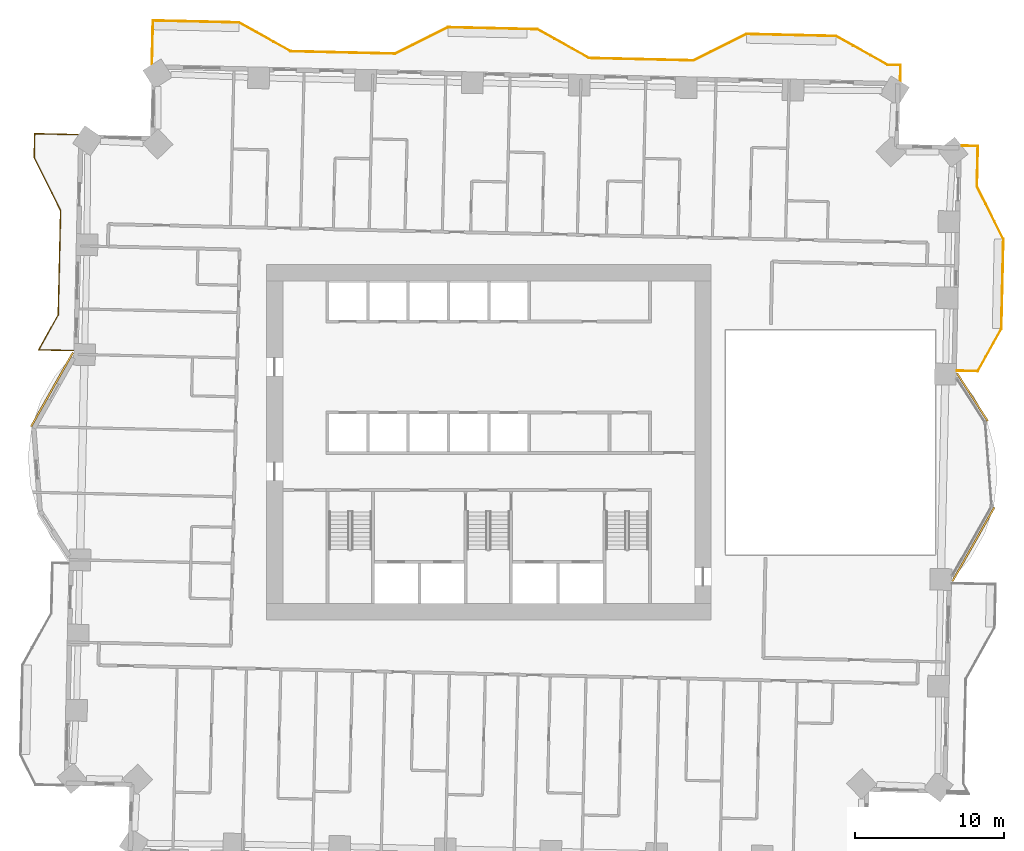
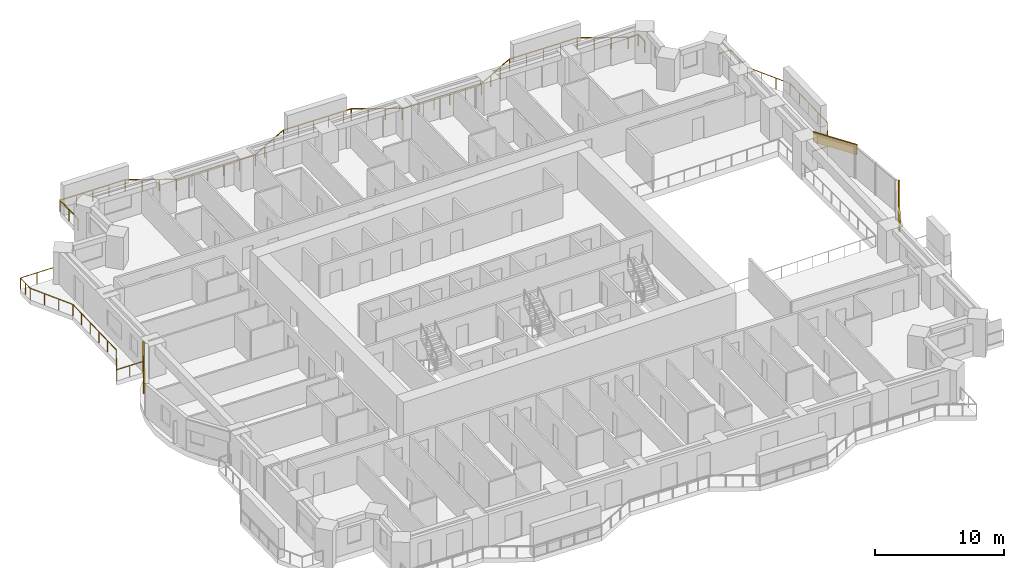
# One storey, part 18 of 18: 3 coverings, 3 railings.
"""IFC4 building model written with IfcOpenShell, lengths in metres."""

import ifcopenshell
import ifcopenshell.guid

model = None  # the IFC model being written
_history = None  # IfcOwnerHistory: only IFC2X3 demands one
_inside = {}  # id of a spatial element -> (the spatial element, [elements in it])
_under = {}  # id of a project, library or spatial element -> (it, [spatial elements below it])
_declared = {}  # id of a project -> (the project, [libraries it declares])
_typed = {}  # id of a type object -> (the type object, [elements of that type])
_made_of = {}  # id of a material, layer set ... -> (it, [elements and type objects made of it])


def new_model(schema):
    """Start an empty IFC model of exactly this schema.

    Asked for "IFC4X3", IfcOpenShell would pick the latest addendum, in which some entities
    have other attributes; the version numbers below select the first issue.
    IFC2X3 requires an IfcOwnerHistory on every rooted entity: one is made here for all.
    """
    global model, _history
    if schema == "IFC4X3":
        model = ifcopenshell.file(schema_version=(4, 3, 0, 0))
    else:
        model = ifcopenshell.file(schema=schema)
    _inside.clear()
    _under.clear()
    _declared.clear()
    _typed.clear()
    _made_of.clear()
    _history = None
    if model.schema == "IFC2X3":
        org = make("IfcOrganization", Name="unknown")
        user = make(
            "IfcPersonAndOrganization",
            ThePerson=make("IfcPerson", FamilyName="unknown"),
            TheOrganization=org,
        )
        app = make(
            "IfcApplication",
            ApplicationDeveloper=org,
            Version="unknown",
            ApplicationFullName="unknown",
            ApplicationIdentifier="unknown",
        )
        _history = make(
            "IfcOwnerHistory",
            OwningUser=user,
            OwningApplication=app,
            ChangeAction="ADDED",
            CreationDate=0,
        )
    return model


def make(cls, **values):
    """One entity of the class cls with the attributes given. An attribute that is None is left unset."""
    return model.create_entity(
        cls, **{name: value for name, value in values.items() if value is not None}
    )


def rooted(cls, **values):
    """An entity with a GlobalId (a new one), such as an element, a storey or a relation."""
    return make(cls, GlobalId=ifcopenshell.guid.new(), OwnerHistory=_history, **values)


def si_unit(unit_type, name, prefix=None):
    """IfcSIUnit, for example si_unit("LENGTHUNIT", "METRE", prefix="MILLI")."""
    return make("IfcSIUnit", UnitType=unit_type, Prefix=prefix, Name=name)


def assignment(units):
    """IfcUnitAssignment: the units of a project."""
    return None if units is None else make("IfcUnitAssignment", Units=units)


def point(xyz):
    """IfcCartesianPoint."""
    return None if xyz is None else make("IfcCartesianPoint", Coordinates=xyz)


def direction(xyz):
    """IfcDirection."""
    return None if xyz is None else make("IfcDirection", DirectionRatios=xyz)


def frame(location, z_axis=None, x_axis=None):
    """IfcAxis2Placement3D, a coordinate frame: its origin and axes. An axis left out is left unset."""
    return make(
        "IfcAxis2Placement3D",
        Location=point(location),
        Axis=direction(z_axis),
        RefDirection=direction(x_axis),
    )


def frame_2d(location, x_axis=None):
    """IfcAxis2Placement2D, a coordinate frame in the plane: its origin and x axis."""
    return make(
        "IfcAxis2Placement2D", Location=point(location), RefDirection=direction(x_axis)
    )


def origin():
    """The frame at (0, 0, 0) with its axes left unset."""
    return frame((0.0, 0.0, 0.0))


def origin_2d():
    """The frame at (0, 0) in the plane with its x axis left unset."""
    return frame_2d((0.0, 0.0))


def place(relative_to, where):
    """IfcLocalPlacement: puts the frame where relative to a parent placement (None: the world)."""
    return make(
        "IfcLocalPlacement", PlacementRelTo=relative_to, RelativePlacement=where
    )


def context(
    kind, dimensions, precision=None, world=None, true_north=None, identifier=None
):
    """IfcGeometricRepresentationContext, for example the 3D "Model" context."""
    return make(
        "IfcGeometricRepresentationContext",
        ContextIdentifier=identifier,
        ContextType=kind,
        CoordinateSpaceDimension=dimensions,
        Precision=precision,
        WorldCoordinateSystem=world,
        TrueNorth=true_north,
    )


def subcontext(parent, identifier, kind, view, scale=None):
    """IfcGeometricRepresentationSubContext, for example "Body" below "Model"."""
    return make(
        "IfcGeometricRepresentationSubContext",
        ContextIdentifier=identifier,
        ContextType=kind,
        ParentContext=parent,
        TargetScale=scale,
        TargetView=view,
    )


def project(units=None, contexts=None):
    """IfcProject with its units and contexts."""
    return rooted(
        "IfcProject",
        Name="project",
        RepresentationContexts=contexts,
        UnitsInContext=assignment(units),
    )


def spatial(cls, under=None, at=None, **own):
    """A site, building, storey or space (cls), placed at a placement, below another one or the project."""
    s = rooted(cls, ObjectPlacement=at, **own)
    if under is not None:
        _under.setdefault(under.id(), (under, []))[1].append(s)
    return s


def profile(cls, at=None, kind="AREA", **sizes):
    """A parametric profile (cls). Its sizes go by their IFC names, for example OverallWidth=200.0."""
    return make(cls, ProfileType=kind, Position=at, **sizes)


def rectangle(**sizes):
    """IfcRectangleProfileDef."""
    return profile("IfcRectangleProfileDef", **sizes)


def extrude(swept, where, along, depth):
    """IfcExtrudedAreaSolid: the profile swept, set in the frame where, extruded along a direction by depth."""
    return make(
        "IfcExtrudedAreaSolid",
        SweptArea=swept,
        Position=where,
        ExtrudedDirection=direction(along),
        Depth=depth,
    )


def shape(context_of_items, identifier, shape_type, items):
    """IfcShapeRepresentation: the items that make up one representation, for example the "Body"."""
    return make(
        "IfcShapeRepresentation",
        ContextOfItems=context_of_items,
        RepresentationIdentifier=identifier,
        RepresentationType=shape_type,
        Items=items,
    )


def material(Name=None, Category=None):
    """IfcMaterial."""
    return make("IfcMaterial", Name=Name, Category=Category)


def layer(
    of_material, thickness, ventilated=None, Name=None, Category=None, Priority=None
):
    """IfcMaterialLayer: one layer of a wall or slab, of a material (None: an air gap)."""
    return make(
        "IfcMaterialLayer",
        Material=of_material,
        LayerThickness=thickness,
        IsVentilated=ventilated,
        Name=Name,
        Category=Category,
        Priority=Priority,
    )


def layer_set(layers, Name=None):
    """IfcMaterialLayerSet."""
    return make("IfcMaterialLayerSet", MaterialLayers=layers, LayerSetName=Name)


def made_of(thing, what):
    """Note that an element or type object is made of a material, layer set ...; save() writes the relation."""
    if what is not None:
        _made_of.setdefault(what.id(), (what, []))[1].append(thing)
    return thing


def type_object(cls, material=None, **own):
    """A type object (cls), such as IfcWallType, which elements share."""
    return made_of(rooted(cls, **own), material)


def element(
    cls,
    number,
    at=None,
    inside=None,
    cuts=None,
    type_object=None,
    material=None,
    context=None,
    identifier="Body",
    shape_type=None,
    held_by="IfcProductDefinitionShape",
    body=None,
    shapes=None,
    **own,
):
    """One element of the class cls, such as IfcWall. Its Tag is "e" and its number.

    at: its placement. inside: the storey or other place that contains it. cuts: it is an
    opening in that element (IfcRelVoidsElement). A single representation is given by context,
    identifier, shape_type and body (its items); several are given by shapes. held_by: the class
    of the entity that holds the representations. save() writes the other relations.
    """
    e = rooted(cls, Tag="e%d" % number, ObjectPlacement=at, **own)
    if body is not None:
        shapes = [shape(context, identifier, shape_type, body)]
    if shapes is not None:
        e.Representation = make(held_by, Representations=shapes)
    if inside is not None:
        _inside.setdefault(inside.id(), (inside, []))[1].append(e)
    if cuts is not None:
        rooted(
            "IfcRelVoidsElement", RelatingBuildingElement=cuts, RelatedOpeningElement=e
        )
    if type_object is not None:
        _typed.setdefault(type_object.id(), (type_object, []))[1].append(e)
    return made_of(e, material)


def aggregate(whole, parts):
    """IfcRelAggregates: a whole, such as a stair, and the parts it consists of."""
    return rooted("IfcRelAggregates", RelatingObject=whole, RelatedObjects=parts)


def save(model, path):
    """Write the relations noted so far, then the file.

    IfcRelAggregates (storeys below a building ...), IfcRelContainedInSpatialStructure (elements
    in a storey), IfcRelDefinesByType, IfcRelAssociatesMaterial and IfcRelDeclares: one each for
    every whole, place, type object, material and project.
    """
    for whole, parts in _under.values():
        aggregate(whole, parts)
    for where, things in _inside.values():
        rooted(
            "IfcRelContainedInSpatialStructure",
            RelatedElements=things,
            RelatingStructure=where,
        )
    for kind, things in _typed.values():
        rooted("IfcRelDefinesByType", RelatedObjects=things, RelatingType=kind)
    for what, things in _made_of.values():
        rooted("IfcRelAssociatesMaterial", RelatedObjects=things, RelatingMaterial=what)
    for by, libraries in _declared.values():
        rooted("IfcRelDeclares", RelatingContext=by, RelatedDefinitions=libraries)
    model.write(path)


model = new_model("IFC4")

# Units and contexts
model_context = context("Model", 3, precision=1e-05, world=origin(), true_north=direction((0.0, 1.0)))
body_context = subcontext(model_context, "Body", "Model", "MODEL_VIEW")
ifc_project = project(units=[si_unit("LENGTHUNIT", "METRE"), si_unit("AREAUNIT", "SQUARE_METRE"), si_unit("VOLUMEUNIT", "CUBIC_METRE"), si_unit("PLANEANGLEUNIT", "RADIAN"), si_unit("MASSUNIT", "GRAM", prefix="KILO")], contexts=[model_context])

# Site, building, storey
site_placement = place(None, origin())
site = spatial("IfcSite", under=ifc_project, at=site_placement, CompositionType="ELEMENT")
building_placement = place(site_placement, origin())
building = spatial("IfcBuilding", under=site, at=building_placement, Name="Mangrove Gate Tower", CompositionType="ELEMENT")
storey_placement = place(building_placement, frame((0.0, 0.0, 67.5)))
storey = spatial("IfcBuildingStorey", under=building, at=storey_placement, Name="L16", CompositionType="ELEMENT", Elevation=67.5)

# Railings
ifc_material_1 = material(Name="Stainless steel grade 316 with laminated glass infill", Category="steel")
railing_type = type_object("IfcRailingType", Name="Balcony guard 1100", PredefinedType="GUARDRAIL", material=ifc_material_1)
railing_1_placement = place(storey_placement, frame((31.362060546875, 4.802001953125, 0.0)))
element("IfcRailing", 1, at=railing_1_placement, inside=storey, type_object=railing_type, Name="GUARD L16 E2", PredefinedType="GUARDRAIL", context=body_context, shape_type="SweptSolid", body=[
    extrude(rectangle(XDim=0.048095703125, YDim=0.048095703125, at=origin_2d()), frame((0.0, 0.0, 1.076171875), z_axis=(0.999735358589, -0.023004625325, 0.0), x_axis=(0.023004625325, 0.999735358589, 0.0)), (0.0, 0.0, 1.0), 1.390380859375),
    extrude(rectangle(XDim=0.048095703125, YDim=0.048095703125, at=origin_2d()), frame((1.389892578125, -0.031982421875, 1.076171875), z_axis=(0.487089238085, 0.873352205093, 0.0), x_axis=(-0.873352205093, 0.487089238085, 0.0)), (0.0, 0.0, 1.0), 3.251953125),
    extrude(rectangle(XDim=0.048095703125, YDim=0.048095703125, at=origin_2d()), frame((2.973876953125, 2.80810546875, 1.076171875), z_axis=(0.02282955947, 0.999739371644, 0.0), x_axis=(-0.999739371644, 0.02282955947, 0.0)), (0.0, 0.0, 1.0), 5.999267578125),
    extrude(rectangle(XDim=0.048095703125, YDim=0.048095703125, at=origin_2d()), frame((3.11083984375, 8.805908203125, 1.076171875), z_axis=(-0.447312255532, 0.894377854182, 0.0), x_axis=(-0.894377854182, -0.447312255532, 0.0)), (0.0, 0.0, 1.0), 3.959228515625),
    extrude(rectangle(XDim=0.048095703125, YDim=0.048095703125, at=origin_2d()), frame((1.33984375, 12.346923828125, 1.076171875), z_axis=(0.02295958807, 0.999736393914, 0.0), x_axis=(-0.999736393914, 0.02295958807, 0.0)), (0.0, 0.0, 1.0), 2.700927734375),
    extrude(rectangle(XDim=0.048095703125, YDim=0.048095703125, at=origin_2d()), frame((1.40185546875, 15.047119140625, 1.076171875), z_axis=(-0.999765634628, 0.021648921828, 0.0), x_axis=(-0.021648921828, -0.999765634628, 0.0)), (0.0, 0.0, 1.0), 1.06005859375),
    extrude(rectangle(XDim=0.0419921875, YDim=0.0419921875, at=origin_2d()), origin(), (0.0, 0.0, 1.0), 1.052001953125),
    extrude(rectangle(XDim=0.0419921875, YDim=0.0419921875, at=origin_2d()), frame((1.389892578125, -0.031982421875, 0.0)), (0.0, 0.0, 1.0), 1.052001953125),
    extrude(rectangle(XDim=0.0419921875, YDim=0.0419921875, at=origin_2d()), frame((1.91796875, 0.914794921875, 0.0)), (0.0, 0.0, 1.0), 1.052001953125),
    extrude(rectangle(XDim=0.0419921875, YDim=0.0419921875, at=origin_2d()), frame((2.44580078125, 1.861328125, 0.0)), (0.0, 0.0, 1.0), 1.052001953125),
    extrude(rectangle(XDim=0.0419921875, YDim=0.0419921875, at=origin_2d()), frame((2.973876953125, 2.80810546875, 0.0)), (0.0, 0.0, 1.0), 1.052001953125),
    extrude(rectangle(XDim=0.0419921875, YDim=0.0419921875, at=origin_2d()), frame((3.008056640625, 4.3076171875, 0.0)), (0.0, 0.0, 1.0), 1.052001953125),
    extrude(rectangle(XDim=0.0419921875, YDim=0.0419921875, at=origin_2d()), frame((3.04248046875, 5.80712890625, 0.0)), (0.0, 0.0, 1.0), 1.052001953125),
    extrude(rectangle(XDim=0.0419921875, YDim=0.0419921875, at=origin_2d()), frame((3.07666015625, 7.306396484375, 0.0)), (0.0, 0.0, 1.0), 1.052001953125),
    extrude(rectangle(XDim=0.0419921875, YDim=0.0419921875, at=origin_2d()), frame((3.11083984375, 8.805908203125, 0.0)), (0.0, 0.0, 1.0), 1.052001953125),
    extrude(rectangle(XDim=0.0419921875, YDim=0.0419921875, at=origin_2d()), frame((2.5205078125, 9.986328125, 0.0)), (0.0, 0.0, 1.0), 1.052001953125),
    extrude(rectangle(XDim=0.0419921875, YDim=0.0419921875, at=origin_2d()), frame((1.93017578125, 11.16650390625, 0.0)), (0.0, 0.0, 1.0), 1.052001953125),
    extrude(rectangle(XDim=0.0419921875, YDim=0.0419921875, at=origin_2d()), frame((1.33984375, 12.346923828125, 0.0)), (0.0, 0.0, 1.0), 1.052001953125),
    extrude(rectangle(XDim=0.0419921875, YDim=0.0419921875, at=origin_2d()), frame((1.370849609375, 13.697021484375, 0.0)), (0.0, 0.0, 1.0), 1.052001953125),
    extrude(rectangle(XDim=0.0419921875, YDim=0.0419921875, at=origin_2d()), frame((1.40185546875, 15.047119140625, 0.0)), (0.0, 0.0, 1.0), 1.052001953125),
    extrude(rectangle(XDim=0.0419921875, YDim=0.0419921875, at=origin_2d()), frame((0.342041015625, 15.070068359375, 0.0)), (0.0, 0.0, 1.0), 1.052001953125),
])
railing_2_placement = place(storey_placement, frame((27.56103515625, 24.2080078125, 0.0)))
element("IfcRailing", 2, at=railing_2_placement, inside=storey, type_object=railing_type, Name="GUARD L16 N1", PredefinedType="GUARDRAIL", context=body_context, shape_type="SweptSolid", body=[
    extrude(rectangle(XDim=0.048095703125, YDim=0.048095703125, at=origin_2d()), frame((0.0, 0.0, 1.076171875), z_axis=(0.022585293253, 0.999744919731, 0.0), x_axis=(-0.999744919731, 0.022585293253, 0.0)), (0.0, 0.0, 1.0), 1.059326171875),
    extrude(rectangle(XDim=0.048095703125, YDim=0.048095703125, at=origin_2d()), frame((0.02392578125, 1.05908203125, 1.076171875), z_axis=(-0.999733484349, 0.023085932334, 0.0), x_axis=(-0.023085932334, -0.999733484349, 0.0)), (0.0, 0.0, 1.0), 0.8671875),
    extrude(rectangle(XDim=0.048095703125, YDim=0.048095703125, at=origin_2d()), frame((-0.843017578125, 1.0791015625, 1.076171875), z_axis=(-0.873315448515, 0.487155136876, 0.0), x_axis=(-0.487155136876, -0.873315448515, 0.0)), (0.0, 0.0, 1.0), 3.959716796875),
    extrude(rectangle(XDim=0.048095703125, YDim=0.048095703125, at=origin_2d()), frame((-4.301025390625, 3.008056640625, 1.076171875), z_axis=(-0.999743094499, 0.022665943652, 0.0), x_axis=(-0.022665943652, -0.999743094499, 0.0)), (0.0, 0.0, 1.0), 5.99951171875),
    extrude(rectangle(XDim=0.048095703125, YDim=0.048095703125, at=origin_2d()), frame((-10.299072265625, 3.14404296875, 1.076171875), z_axis=(-0.894476522376, -0.447114919141, 0.0), x_axis=(0.447114919141, -0.894476522376, 0.0)), (0.0, 0.0, 1.0), 3.958740234375),
    extrude(rectangle(XDim=0.048095703125, YDim=0.048095703125, at=origin_2d()), frame((-13.840087890625, 1.3740234375, 1.076171875), z_axis=(-0.999742195543, 0.022705559911, 0.0), x_axis=(-0.022705559911, -0.999742195543, 0.0)), (0.0, 0.0, 1.0), 6.999755859375),
    extrude(rectangle(XDim=0.048095703125, YDim=0.048095703125, at=origin_2d()), frame((-20.838134765625, 1.532958984375, 1.076171875), z_axis=(-0.873242256246, 0.487286324359, 0.0), x_axis=(-0.487286324359, -0.873242256246, 0.0)), (0.0, 0.0, 1.0), 3.95849609375),
    extrude(rectangle(XDim=0.048095703125, YDim=0.048095703125, at=origin_2d()), frame((-24.294921875, 3.4619140625, 1.076171875), z_axis=(-0.999735316342, 0.023006461255, 0.0), x_axis=(-0.023006461255, -0.999735316342, 0.0)), (0.0, 0.0, 1.0), 0.700439453125),
    extrude(rectangle(XDim=0.048095703125, YDim=0.048095703125, at=origin_2d()), frame((-24.9951171875, 3.47802734375, 1.076171875), z_axis=(-0.999744208111, 0.022616771387, 0.0), x_axis=(-0.022616771387, -0.999744208111, 0.0)), (0.0, 0.0, 1.0), 5.30029296875),
    extrude(rectangle(XDim=0.048095703125, YDim=0.048095703125, at=origin_2d()), frame((-30.2939453125, 3.597900390625, 1.076171875), z_axis=(-0.894476522376, -0.447114919141, 0.0), x_axis=(0.447114919141, -0.894476522376, 0.0)), (0.0, 0.0, 1.0), 3.958740234375),
    extrude(rectangle(XDim=0.048095703125, YDim=0.048095703125, at=origin_2d()), frame((-33.8349609375, 1.827880859375, 1.076171875), z_axis=(-0.999741403216, 0.022740419861, 0.0), x_axis=(-0.022740419861, -0.999741403216, 0.0)), (0.0, 0.0, 1.0), 6.999755859375),
    extrude(rectangle(XDim=0.048095703125, YDim=0.048095703125, at=origin_2d()), frame((-40.8330078125, 1.987060546875, 1.076171875), z_axis=(-0.873361856081, 0.487071933437, 0.0), x_axis=(-0.487071933437, -0.873361856081, 0.0)), (0.0, 0.0, 1.0), 3.958251953125),
    extrude(rectangle(XDim=0.048095703125, YDim=0.048095703125, at=origin_2d()), frame((-44.2900390625, 3.9150390625, 1.076171875), z_axis=(-0.999742665159, 0.022684872937, 0.0), x_axis=(-0.022684872937, -0.999742665159, 0.0)), (0.0, 0.0, 1.0), 5.7685546875),
    extrude(rectangle(XDim=0.048095703125, YDim=0.048095703125, at=origin_2d()), frame((-50.05712890625, 4.0458984375, 1.076171875), z_axis=(-0.022654696127, -0.999743349437, 0.0), x_axis=(0.999743349437, -0.022654696127, 0.0)), (0.0, 0.0, 1.0), 2.90966796875),
    extrude(rectangle(XDim=0.0419921875, YDim=0.0419921875, at=origin_2d()), origin(), (0.0, 0.0, 1.0), 1.052001953125),
    extrude(rectangle(XDim=0.0419921875, YDim=0.0419921875, at=origin_2d()), frame((0.02392578125, 1.05908203125, 0.0)), (0.0, 0.0, 1.0), 1.052001953125),
    extrude(rectangle(XDim=0.0419921875, YDim=0.0419921875, at=origin_2d()), frame((-0.843017578125, 1.0791015625, 0.0)), (0.0, 0.0, 1.0), 1.052001953125),
    extrude(rectangle(XDim=0.0419921875, YDim=0.0419921875, at=origin_2d()), frame((-1.99560546875, 1.72216796875, 0.0)), (0.0, 0.0, 1.0), 1.052001953125),
    extrude(rectangle(XDim=0.0419921875, YDim=0.0419921875, at=origin_2d()), frame((-3.1484375, 2.364990234375, 0.0)), (0.0, 0.0, 1.0), 1.052001953125),
    extrude(rectangle(XDim=0.0419921875, YDim=0.0419921875, at=origin_2d()), frame((-4.301025390625, 3.008056640625, 0.0)), (0.0, 0.0, 1.0), 1.052001953125),
    extrude(rectangle(XDim=0.0419921875, YDim=0.0419921875, at=origin_2d()), frame((-5.800537109375, 3.0419921875, 0.0)), (0.0, 0.0, 1.0), 1.052001953125),
    extrude(rectangle(XDim=0.0419921875, YDim=0.0419921875, at=origin_2d()), frame((-7.300048828125, 3.076171875, 0.0)), (0.0, 0.0, 1.0), 1.052001953125),
    extrude(rectangle(XDim=0.0419921875, YDim=0.0419921875, at=origin_2d()), frame((-8.799560546875, 3.110107421875, 0.0)), (0.0, 0.0, 1.0), 1.052001953125),
    extrude(rectangle(XDim=0.0419921875, YDim=0.0419921875, at=origin_2d()), frame((-10.299072265625, 3.14404296875, 0.0)), (0.0, 0.0, 1.0), 1.052001953125),
    extrude(rectangle(XDim=0.0419921875, YDim=0.0419921875, at=origin_2d()), frame((-11.4794921875, 2.553955078125, 0.0)), (0.0, 0.0, 1.0), 1.052001953125),
    extrude(rectangle(XDim=0.0419921875, YDim=0.0419921875, at=origin_2d()), frame((-12.65966796875, 1.964111328125, 0.0)), (0.0, 0.0, 1.0), 1.052001953125),
    extrude(rectangle(XDim=0.0419921875, YDim=0.0419921875, at=origin_2d()), frame((-13.840087890625, 1.3740234375, 0.0)), (0.0, 0.0, 1.0), 1.052001953125),
    extrude(rectangle(XDim=0.0419921875, YDim=0.0419921875, at=origin_2d()), frame((-15.23974609375, 1.40576171875, 0.0)), (0.0, 0.0, 1.0), 1.052001953125),
    extrude(rectangle(XDim=0.0419921875, YDim=0.0419921875, at=origin_2d()), frame((-16.639404296875, 1.4375, 0.0)), (0.0, 0.0, 1.0), 1.052001953125),
    extrude(rectangle(XDim=0.0419921875, YDim=0.0419921875, at=origin_2d()), frame((-18.038818359375, 1.469482421875, 0.0)), (0.0, 0.0, 1.0), 1.052001953125),
    extrude(rectangle(XDim=0.0419921875, YDim=0.0419921875, at=origin_2d()), frame((-19.4384765625, 1.501220703125, 0.0)), (0.0, 0.0, 1.0), 1.052001953125),
    extrude(rectangle(XDim=0.0419921875, YDim=0.0419921875, at=origin_2d()), frame((-20.838134765625, 1.532958984375, 0.0)), (0.0, 0.0, 1.0), 1.052001953125),
    extrude(rectangle(XDim=0.0419921875, YDim=0.0419921875, at=origin_2d()), frame((-21.990478515625, 2.176025390625, 0.0)), (0.0, 0.0, 1.0), 1.052001953125),
    extrude(rectangle(XDim=0.0419921875, YDim=0.0419921875, at=origin_2d()), frame((-23.142578125, 2.81884765625, 0.0)), (0.0, 0.0, 1.0), 1.052001953125),
    extrude(rectangle(XDim=0.0419921875, YDim=0.0419921875, at=origin_2d()), frame((-24.294921875, 3.4619140625, 0.0)), (0.0, 0.0, 1.0), 1.052001953125),
    extrude(rectangle(XDim=0.0419921875, YDim=0.0419921875, at=origin_2d()), frame((-24.9951171875, 3.47802734375, 0.0)), (0.0, 0.0, 1.0), 1.052001953125),
    extrude(rectangle(XDim=0.0419921875, YDim=0.0419921875, at=origin_2d()), frame((-26.31982421875, 3.508056640625, 0.0)), (0.0, 0.0, 1.0), 1.052001953125),
    extrude(rectangle(XDim=0.0419921875, YDim=0.0419921875, at=origin_2d()), frame((-27.64453125, 3.5380859375, 0.0)), (0.0, 0.0, 1.0), 1.052001953125),
    extrude(rectangle(XDim=0.0419921875, YDim=0.0419921875, at=origin_2d()), frame((-28.96923828125, 3.56787109375, 0.0)), (0.0, 0.0, 1.0), 1.052001953125),
    extrude(rectangle(XDim=0.0419921875, YDim=0.0419921875, at=origin_2d()), frame((-30.2939453125, 3.597900390625, 0.0)), (0.0, 0.0, 1.0), 1.052001953125),
    extrude(rectangle(XDim=0.0419921875, YDim=0.0419921875, at=origin_2d()), frame((-31.474365234375, 3.0078125, 0.0)), (0.0, 0.0, 1.0), 1.052001953125),
    extrude(rectangle(XDim=0.0419921875, YDim=0.0419921875, at=origin_2d()), frame((-32.654541015625, 2.41796875, 0.0)), (0.0, 0.0, 1.0), 1.052001953125),
    extrude(rectangle(XDim=0.0419921875, YDim=0.0419921875, at=origin_2d()), frame((-33.8349609375, 1.827880859375, 0.0)), (0.0, 0.0, 1.0), 1.052001953125),
    extrude(rectangle(XDim=0.0419921875, YDim=0.0419921875, at=origin_2d()), frame((-35.234619140625, 1.859619140625, 0.0)), (0.0, 0.0, 1.0), 1.052001953125),
    extrude(rectangle(XDim=0.0419921875, YDim=0.0419921875, at=origin_2d()), frame((-36.63427734375, 1.8916015625, 0.0)), (0.0, 0.0, 1.0), 1.052001953125),
    extrude(rectangle(XDim=0.0419921875, YDim=0.0419921875, at=origin_2d()), frame((-38.03369140625, 1.92333984375, 0.0)), (0.0, 0.0, 1.0), 1.052001953125),
    extrude(rectangle(XDim=0.0419921875, YDim=0.0419921875, at=origin_2d()), frame((-39.433349609375, 1.955322265625, 0.0)), (0.0, 0.0, 1.0), 1.052001953125),
    extrude(rectangle(XDim=0.0419921875, YDim=0.0419921875, at=origin_2d()), frame((-40.8330078125, 1.987060546875, 0.0)), (0.0, 0.0, 1.0), 1.052001953125),
    extrude(rectangle(XDim=0.0419921875, YDim=0.0419921875, at=origin_2d()), frame((-41.9853515625, 2.629638671875, 0.0)), (0.0, 0.0, 1.0), 1.052001953125),
    extrude(rectangle(XDim=0.0419921875, YDim=0.0419921875, at=origin_2d()), frame((-43.1376953125, 3.2724609375, 0.0)), (0.0, 0.0, 1.0), 1.052001953125),
    extrude(rectangle(XDim=0.0419921875, YDim=0.0419921875, at=origin_2d()), frame((-44.2900390625, 3.9150390625, 0.0)), (0.0, 0.0, 1.0), 1.052001953125),
    extrude(rectangle(XDim=0.0419921875, YDim=0.0419921875, at=origin_2d()), frame((-45.73193359375, 3.94775390625, 0.0)), (0.0, 0.0, 1.0), 1.052001953125),
    extrude(rectangle(XDim=0.0419921875, YDim=0.0419921875, at=origin_2d()), frame((-47.173583984375, 3.98046875, 0.0)), (0.0, 0.0, 1.0), 1.052001953125),
    extrude(rectangle(XDim=0.0419921875, YDim=0.0419921875, at=origin_2d()), frame((-48.615234375, 4.01318359375, 0.0)), (0.0, 0.0, 1.0), 1.052001953125),
    extrude(rectangle(XDim=0.0419921875, YDim=0.0419921875, at=origin_2d()), frame((-50.05712890625, 4.0458984375, 0.0)), (0.0, 0.0, 1.0), 1.052001953125),
    extrude(rectangle(XDim=0.0419921875, YDim=0.0419921875, at=origin_2d()), frame((-50.090087890625, 2.59130859375, 0.0)), (0.0, 0.0, 1.0), 1.052001953125),
    extrude(rectangle(XDim=0.0419921875, YDim=0.0419921875, at=origin_2d()), frame((-50.123046875, 1.136962890625, 0.0)), (0.0, 0.0, 1.0), 1.052001953125),
])
railing_3_placement = place(storey_placement, frame((-27.510009765625, 20.615966796875, 0.0)))
element("IfcRailing", 3, at=railing_3_placement, inside=storey, type_object=railing_type, Name="GUARD L16 W1", PredefinedType="GUARDRAIL", context=body_context, shape_type="SweptSolid", body=[
    extrude(rectangle(XDim=0.048095703125, YDim=0.048095703125, at=origin_2d()), frame((0.0, 0.0, 1.076171875), z_axis=(-0.999743521605, 0.022647097142, 0.0), x_axis=(-0.022647097142, -0.999743521605, 0.0)), (0.0, 0.0, 1.0), 2.91064453125),
    extrude(rectangle(XDim=0.048095703125, YDim=0.048095703125, at=origin_2d()), frame((-2.909912109375, 0.06591796875, 1.076171875), z_axis=(-0.022593101544, -0.999744743303, 0.0), x_axis=(0.999744743303, -0.022593101544, 0.0)), (0.0, 0.0, 1.0), 1.599365234375),
    extrude(rectangle(XDim=0.048095703125, YDim=0.048095703125, at=origin_2d()), frame((-2.946044921875, -1.532958984375, 1.076171875), z_axis=(0.447016280881, -0.894525821107, 0.0), x_axis=(0.894525821107, 0.447016280881, 0.0)), (0.0, 0.0, 1.0), 3.959716796875),
    extrude(rectangle(XDim=0.048095703125, YDim=0.048095703125, at=origin_2d()), frame((-1.176025390625, -5.074951171875, 1.076171875), z_axis=(-0.022705559911, -0.999742195543, 0.0), x_axis=(0.999742195543, -0.022705559911, 0.0)), (0.0, 0.0, 1.0), 6.999755859375),
    extrude(rectangle(XDim=0.048095703125, YDim=0.048095703125, at=origin_2d()), frame((-1.3349609375, -12.072998046875, 1.076171875), z_axis=(-0.487163004485, -0.873311059738, 0.0), x_axis=(0.873311059738, -0.487163004485, 0.0)), (0.0, 0.0, 1.0), 2.68505859375),
    extrude(rectangle(XDim=0.048095703125, YDim=0.048095703125, at=origin_2d()), frame((-2.64306640625, -14.41796875, 1.076171875), z_axis=(0.999738009607, -0.022889127251, 0.0), x_axis=(0.022889127251, 0.999738009607, 0.0)), (0.0, 0.0, 1.0), 2.314453125),
    extrude(rectangle(XDim=0.0419921875, YDim=0.0419921875, at=origin_2d()), origin(), (0.0, 0.0, 1.0), 1.052001953125),
    extrude(rectangle(XDim=0.0419921875, YDim=0.0419921875, at=origin_2d()), frame((-1.455078125, 0.032958984375, 0.0)), (0.0, 0.0, 1.0), 1.052001953125),
    extrude(rectangle(XDim=0.0419921875, YDim=0.0419921875, at=origin_2d()), frame((-2.909912109375, 0.06591796875, 0.0)), (0.0, 0.0, 1.0), 1.052001953125),
    extrude(rectangle(XDim=0.0419921875, YDim=0.0419921875, at=origin_2d()), frame((-2.927978515625, -0.7333984375, 0.0)), (0.0, 0.0, 1.0), 1.052001953125),
    extrude(rectangle(XDim=0.0419921875, YDim=0.0419921875, at=origin_2d()), frame((-2.946044921875, -1.532958984375, 0.0)), (0.0, 0.0, 1.0), 1.052001953125),
    extrude(rectangle(XDim=0.0419921875, YDim=0.0419921875, at=origin_2d()), frame((-2.35595703125, -2.713623046875, 0.0)), (0.0, 0.0, 1.0), 1.052001953125),
    extrude(rectangle(XDim=0.0419921875, YDim=0.0419921875, at=origin_2d()), frame((-1.76611328125, -3.894287109375, 0.0)), (0.0, 0.0, 1.0), 1.052001953125),
    extrude(rectangle(XDim=0.0419921875, YDim=0.0419921875, at=origin_2d()), frame((-1.176025390625, -5.074951171875, 0.0)), (0.0, 0.0, 1.0), 1.052001953125),
    extrude(rectangle(XDim=0.0419921875, YDim=0.0419921875, at=origin_2d()), frame((-1.207763671875, -6.474609375, 0.0)), (0.0, 0.0, 1.0), 1.052001953125),
    extrude(rectangle(XDim=0.0419921875, YDim=0.0419921875, at=origin_2d()), frame((-1.239501953125, -7.874267578125, 0.0)), (0.0, 0.0, 1.0), 1.052001953125),
    extrude(rectangle(XDim=0.0419921875, YDim=0.0419921875, at=origin_2d()), frame((-1.271484375, -9.273681640625, 0.0)), (0.0, 0.0, 1.0), 1.052001953125),
    extrude(rectangle(XDim=0.0419921875, YDim=0.0419921875, at=origin_2d()), frame((-1.30322265625, -10.67333984375, 0.0)), (0.0, 0.0, 1.0), 1.052001953125),
    extrude(rectangle(XDim=0.0419921875, YDim=0.0419921875, at=origin_2d()), frame((-1.3349609375, -12.072998046875, 0.0)), (0.0, 0.0, 1.0), 1.052001953125),
    extrude(rectangle(XDim=0.0419921875, YDim=0.0419921875, at=origin_2d()), frame((-1.989013671875, -13.24560546875, 0.0)), (0.0, 0.0, 1.0), 1.052001953125),
    extrude(rectangle(XDim=0.0419921875, YDim=0.0419921875, at=origin_2d()), frame((-2.64306640625, -14.41796875, 0.0)), (0.0, 0.0, 1.0), 1.052001953125),
    extrude(rectangle(XDim=0.0419921875, YDim=0.0419921875, at=origin_2d()), frame((-1.486083984375, -14.4443359375, 0.0)), (0.0, 0.0, 1.0), 1.052001953125),
    extrude(rectangle(XDim=0.0419921875, YDim=0.0419921875, at=origin_2d()), frame((-0.3291015625, -14.470947265625, 0.0)), (0.0, 0.0, 1.0), 1.052001953125),
])

# Coverings
ifc_material_2 = material(Name="Limestone", Category="masonry")
ifc_layer_1 = layer(ifc_material_2, 0.0400390625, Name="Limestone cladding")
ifc_material_3 = material(Name="Stainless steel anchors and cavity", Category="steel")
ifc_layer_2 = layer(ifc_material_3, 0.080078125, Name="Fixing cavity")
ifc_layer_set = layer_set([ifc_layer_1, ifc_layer_2], Name="Joint fascia cladding 120")
covering_type = type_object("IfcCoveringType", Name="Joint fascia cladding 120", PredefinedType="CLADDING", material=ifc_layer_set)
covering_1_placement = place(storey_placement, frame((31.052001953125, -9.320068359375, 2.10009765625), z_axis=(0.0, 0.0, 1.0), x_axis=(0.492549299416, 0.870284544069, 0.0)))
element("IfcCovering", 4, at=covering_1_placement, inside=storey, type_object=covering_type, Name="STONE FASCIA L16 E1.L1", PredefinedType="CLADDING", context=body_context, shape_type="SweptSolid", body=[
    extrude(rectangle(XDim=5.705078125, YDim=0.1201171875, at=frame_2d((2.8525390625, 0.0))), origin(), (0.0, 0.0, 1.0), 0.949951171875),
])
covering_2_placement = place(storey_placement, frame((33.426025390625, 1.4189453125, 2.10009765625), z_axis=(0.0, 0.0, 1.0), x_axis=(-0.540457066708, 0.841371593914, 0.0)))
element("IfcCovering", 5, at=covering_2_placement, inside=storey, type_object=covering_type, Name="STONE FASCIA L16 E1.L2", PredefinedType="CLADDING", context=body_context, shape_type="SweptSolid", body=[
    extrude(rectangle(XDim=3.81884765625, YDim=0.1201171875, at=frame_2d((1.909423828125, 0.0))), origin(), (0.0, 0.0, 1.0), 0.949951171875),
])
covering_3_placement = place(storey_placement, frame((-27.85205078125, 6.02001953125, 2.10009765625), z_axis=(0.0, 0.0, 1.0), x_axis=(-0.492549299416, -0.870284544069, 0.0)))
element("IfcCovering", 6, at=covering_3_placement, inside=storey, type_object=covering_type, Name="STONE FASCIA L16 W9.L1", PredefinedType="CLADDING", context=body_context, shape_type="SweptSolid", body=[
    extrude(rectangle(XDim=5.705078125, YDim=0.1201171875, at=frame_2d((2.8525390625, 0.0))), origin(), (0.0, 0.0, 1.0), 0.949951171875),
])

save(model, "model.ifc")
